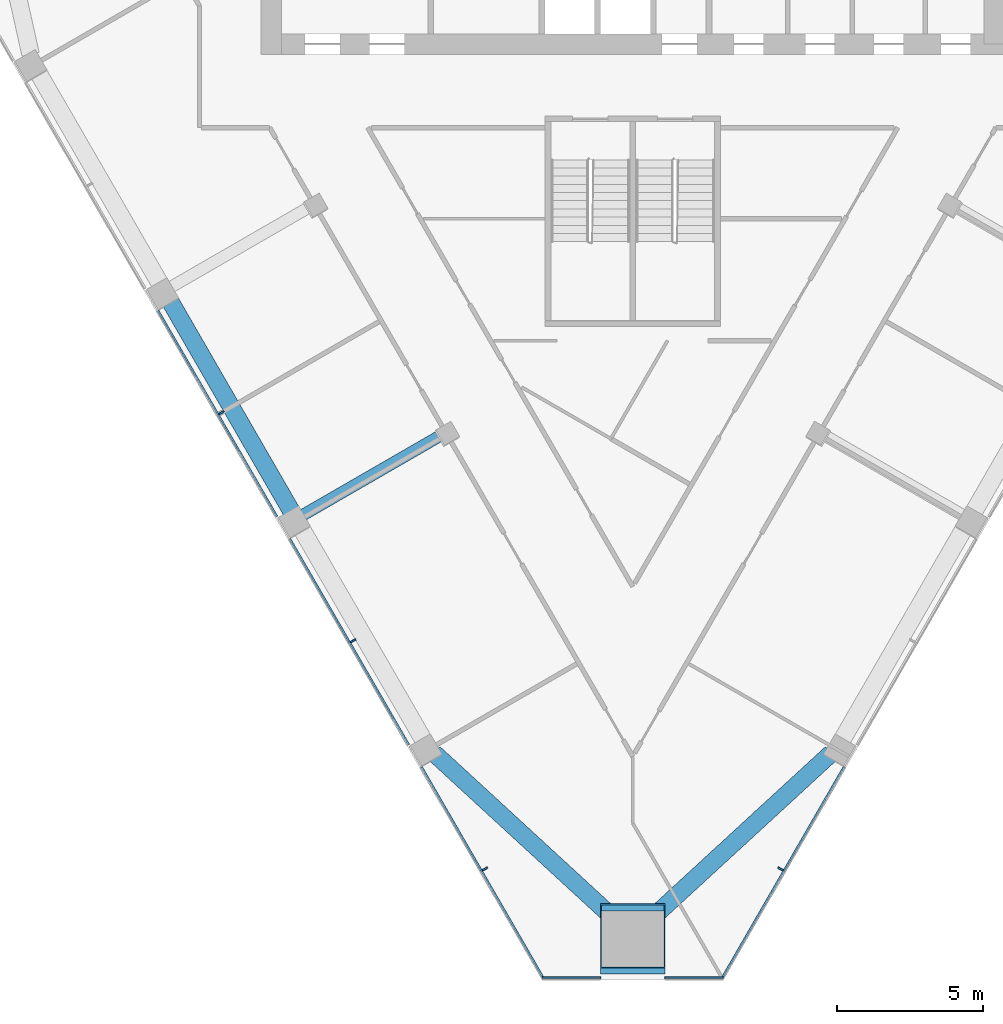
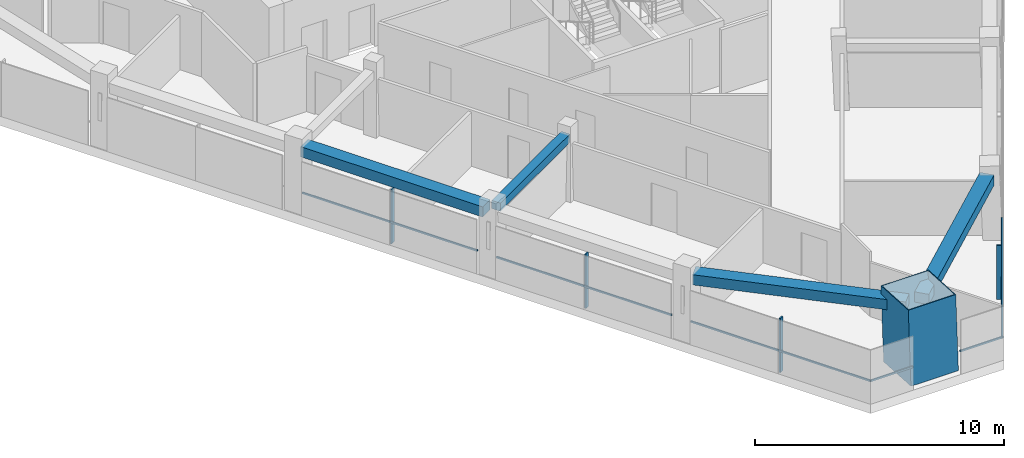
# One storey, part 2 of 12: 11 members, 4 beams, 3 elements without a shape of their own.
"""IFC4 building model written with IfcOpenShell, lengths in metres."""

import ifcopenshell
import ifcopenshell.guid

model = None  # the IFC model being written
_history = None  # IfcOwnerHistory: only IFC2X3 demands one
_inside = {}  # id of a spatial element -> (the spatial element, [elements in it])
_under = {}  # id of a project, library or spatial element -> (it, [spatial elements below it])
_declared = {}  # id of a project -> (the project, [libraries it declares])
_typed = {}  # id of a type object -> (the type object, [elements of that type])
_made_of = {}  # id of a material, layer set ... -> (it, [elements and type objects made of it])


def new_model(schema):
    """Start an empty IFC model of exactly this schema.

    Asked for "IFC4X3", IfcOpenShell would pick the latest addendum, in which some entities
    have other attributes; the version numbers below select the first issue.
    IFC2X3 requires an IfcOwnerHistory on every rooted entity: one is made here for all.
    """
    global model, _history
    if schema == "IFC4X3":
        model = ifcopenshell.file(schema_version=(4, 3, 0, 0))
    else:
        model = ifcopenshell.file(schema=schema)
    _inside.clear()
    _under.clear()
    _declared.clear()
    _typed.clear()
    _made_of.clear()
    _history = None
    if model.schema == "IFC2X3":
        org = make("IfcOrganization", Name="unknown")
        user = make(
            "IfcPersonAndOrganization",
            ThePerson=make("IfcPerson", FamilyName="unknown"),
            TheOrganization=org,
        )
        app = make(
            "IfcApplication",
            ApplicationDeveloper=org,
            Version="unknown",
            ApplicationFullName="unknown",
            ApplicationIdentifier="unknown",
        )
        _history = make(
            "IfcOwnerHistory",
            OwningUser=user,
            OwningApplication=app,
            ChangeAction="ADDED",
            CreationDate=0,
        )
    return model


def make(cls, **values):
    """One entity of the class cls with the attributes given. An attribute that is None is left unset."""
    return model.create_entity(
        cls, **{name: value for name, value in values.items() if value is not None}
    )


def rooted(cls, **values):
    """An entity with a GlobalId (a new one), such as an element, a storey or a relation."""
    return make(cls, GlobalId=ifcopenshell.guid.new(), OwnerHistory=_history, **values)


def si_unit(unit_type, name, prefix=None):
    """IfcSIUnit, for example si_unit("LENGTHUNIT", "METRE", prefix="MILLI")."""
    return make("IfcSIUnit", UnitType=unit_type, Prefix=prefix, Name=name)


def assignment(units):
    """IfcUnitAssignment: the units of a project."""
    return None if units is None else make("IfcUnitAssignment", Units=units)


def point(xyz):
    """IfcCartesianPoint."""
    return None if xyz is None else make("IfcCartesianPoint", Coordinates=xyz)


def direction(xyz):
    """IfcDirection."""
    return None if xyz is None else make("IfcDirection", DirectionRatios=xyz)


def frame(location, z_axis=None, x_axis=None):
    """IfcAxis2Placement3D, a coordinate frame: its origin and axes. An axis left out is left unset."""
    return make(
        "IfcAxis2Placement3D",
        Location=point(location),
        Axis=direction(z_axis),
        RefDirection=direction(x_axis),
    )


def frame_2d(location, x_axis=None):
    """IfcAxis2Placement2D, a coordinate frame in the plane: its origin and x axis."""
    return make(
        "IfcAxis2Placement2D", Location=point(location), RefDirection=direction(x_axis)
    )


def origin():
    """The frame at (0, 0, 0) with its axes left unset."""
    return frame((0.0, 0.0, 0.0))


def origin_2d():
    """The frame at (0, 0) in the plane with its x axis left unset."""
    return frame_2d((0.0, 0.0))


def place(relative_to, where):
    """IfcLocalPlacement: puts the frame where relative to a parent placement (None: the world)."""
    return make(
        "IfcLocalPlacement", PlacementRelTo=relative_to, RelativePlacement=where
    )


def context(
    kind, dimensions, precision=None, world=None, true_north=None, identifier=None
):
    """IfcGeometricRepresentationContext, for example the 3D "Model" context."""
    return make(
        "IfcGeometricRepresentationContext",
        ContextIdentifier=identifier,
        ContextType=kind,
        CoordinateSpaceDimension=dimensions,
        Precision=precision,
        WorldCoordinateSystem=world,
        TrueNorth=true_north,
    )


def subcontext(parent, identifier, kind, view, scale=None):
    """IfcGeometricRepresentationSubContext, for example "Body" below "Model"."""
    return make(
        "IfcGeometricRepresentationSubContext",
        ContextIdentifier=identifier,
        ContextType=kind,
        ParentContext=parent,
        TargetScale=scale,
        TargetView=view,
    )


def project(units=None, contexts=None):
    """IfcProject with its units and contexts."""
    return rooted(
        "IfcProject",
        Name="project",
        RepresentationContexts=contexts,
        UnitsInContext=assignment(units),
    )


def spatial(cls, under=None, at=None, **own):
    """A site, building, storey or space (cls), placed at a placement, below another one or the project."""
    s = rooted(cls, ObjectPlacement=at, **own)
    if under is not None:
        _under.setdefault(under.id(), (under, []))[1].append(s)
    return s


def profile(cls, at=None, kind="AREA", **sizes):
    """A parametric profile (cls). Its sizes go by their IFC names, for example OverallWidth=200.0."""
    return make(cls, ProfileType=kind, Position=at, **sizes)


def rectangle(**sizes):
    """IfcRectangleProfileDef."""
    return profile("IfcRectangleProfileDef", **sizes)


def hollow_rectangle(**sizes):
    """IfcRectangleHollowProfileDef."""
    return profile("IfcRectangleHollowProfileDef", **sizes)


def extrude(swept, where, along, depth):
    """IfcExtrudedAreaSolid: the profile swept, set in the frame where, extruded along a direction by depth."""
    return make(
        "IfcExtrudedAreaSolid",
        SweptArea=swept,
        Position=where,
        ExtrudedDirection=direction(along),
        Depth=depth,
    )


def shape(context_of_items, identifier, shape_type, items):
    """IfcShapeRepresentation: the items that make up one representation, for example the "Body"."""
    return make(
        "IfcShapeRepresentation",
        ContextOfItems=context_of_items,
        RepresentationIdentifier=identifier,
        RepresentationType=shape_type,
        Items=items,
    )


def material(Name=None, Category=None):
    """IfcMaterial."""
    return make("IfcMaterial", Name=Name, Category=Category)


def layer(
    of_material, thickness, ventilated=None, Name=None, Category=None, Priority=None
):
    """IfcMaterialLayer: one layer of a wall or slab, of a material (None: an air gap)."""
    return make(
        "IfcMaterialLayer",
        Material=of_material,
        LayerThickness=thickness,
        IsVentilated=ventilated,
        Name=Name,
        Category=Category,
        Priority=Priority,
    )


def layer_set(layers, Name=None):
    """IfcMaterialLayerSet."""
    return make("IfcMaterialLayerSet", MaterialLayers=layers, LayerSetName=Name)


def material_profile(
    of_material, cross_section, Name=None, Category=None, Priority=None
):
    """IfcMaterialProfile: a cross section and its material."""
    return make(
        "IfcMaterialProfile",
        Name=Name,
        Material=of_material,
        Profile=cross_section,
        Priority=Priority,
        Category=Category,
    )


def profile_set(profiles, Name=None, composite=None):
    """IfcMaterialProfileSet."""
    return make(
        "IfcMaterialProfileSet",
        Name=Name,
        MaterialProfiles=profiles,
        CompositeProfile=composite,
    )


def made_of(thing, what):
    """Note that an element or type object is made of a material, layer set ...; save() writes the relation."""
    if what is not None:
        _made_of.setdefault(what.id(), (what, []))[1].append(thing)
    return thing


def type_object(cls, material=None, **own):
    """A type object (cls), such as IfcWallType, which elements share."""
    return made_of(rooted(cls, **own), material)


def element(
    cls,
    number,
    at=None,
    inside=None,
    cuts=None,
    type_object=None,
    material=None,
    context=None,
    identifier="Body",
    shape_type=None,
    held_by="IfcProductDefinitionShape",
    body=None,
    shapes=None,
    **own,
):
    """One element of the class cls, such as IfcWall. Its Tag is "e" and its number.

    at: its placement. inside: the storey or other place that contains it. cuts: it is an
    opening in that element (IfcRelVoidsElement). A single representation is given by context,
    identifier, shape_type and body (its items); several are given by shapes. held_by: the class
    of the entity that holds the representations. save() writes the other relations.
    """
    e = rooted(cls, Tag="e%d" % number, ObjectPlacement=at, **own)
    if body is not None:
        shapes = [shape(context, identifier, shape_type, body)]
    if shapes is not None:
        e.Representation = make(held_by, Representations=shapes)
    if inside is not None:
        _inside.setdefault(inside.id(), (inside, []))[1].append(e)
    if cuts is not None:
        rooted(
            "IfcRelVoidsElement", RelatingBuildingElement=cuts, RelatedOpeningElement=e
        )
    if type_object is not None:
        _typed.setdefault(type_object.id(), (type_object, []))[1].append(e)
    return made_of(e, material)


def aggregate(whole, parts):
    """IfcRelAggregates: a whole, such as a stair, and the parts it consists of."""
    return rooted("IfcRelAggregates", RelatingObject=whole, RelatedObjects=parts)


def save(model, path):
    """Write the relations noted so far, then the file.

    IfcRelAggregates (storeys below a building ...), IfcRelContainedInSpatialStructure (elements
    in a storey), IfcRelDefinesByType, IfcRelAssociatesMaterial and IfcRelDeclares: one each for
    every whole, place, type object, material and project.
    """
    for whole, parts in _under.values():
        aggregate(whole, parts)
    for where, things in _inside.values():
        rooted(
            "IfcRelContainedInSpatialStructure",
            RelatedElements=things,
            RelatingStructure=where,
        )
    for kind, things in _typed.values():
        rooted("IfcRelDefinesByType", RelatedObjects=things, RelatingType=kind)
    for what, things in _made_of.values():
        rooted("IfcRelAssociatesMaterial", RelatedObjects=things, RelatingMaterial=what)
    for by, libraries in _declared.values():
        rooted("IfcRelDeclares", RelatingContext=by, RelatedDefinitions=libraries)
    model.write(path)


model = new_model("IFC4")

# Units and contexts
model_context = context("Model", 3, precision=1e-05, world=origin(), true_north=direction((0.0, 1.0)))
body_context = subcontext(model_context, "Body", "Model", "MODEL_VIEW")
ifc_project = project(units=[si_unit("LENGTHUNIT", "METRE"), si_unit("AREAUNIT", "SQUARE_METRE"), si_unit("VOLUMEUNIT", "CUBIC_METRE"), si_unit("PLANEANGLEUNIT", "RADIAN"), si_unit("MASSUNIT", "GRAM", prefix="KILO")], contexts=[model_context])

# Site, building, storey
site_placement = place(None, origin())
site = spatial("IfcSite", under=ifc_project, at=site_placement, CompositionType="ELEMENT")
building_placement = place(site_placement, origin())
building = spatial("IfcBuilding", under=site, at=building_placement, Name="Altiplano Prism Tower", CompositionType="ELEMENT")
storey_placement = place(building_placement, frame((0.0, 0.0, 205.199951171875)))
storey = spatial("IfcBuildingStorey", under=building, at=storey_placement, Name="L53", CompositionType="ELEMENT", Elevation=205.199951171875)

# Curtain wall, members
ifc_material_1 = material(Name="Aluminium and glass", Category="aluminium")
ifc_layer = layer(ifc_material_1, 0.303955078125)
ifc_layer_set = layer_set([ifc_layer], Name="Aluminium and glass")
curtain_wall_type = type_object("IfcCurtainWallType", Name="CW2 lounge-band unitised glazing", PredefinedType="NOTDEFINED", material=ifc_layer_set)
curtain_wall_1_placement = place(storey_placement, origin())
curtain_wall_1 = element("IfcCurtainWall", 1, at=curtain_wall_1_placement, inside=storey, type_object=curtain_wall_type, Name="CW2 curtain wall south-west face L53", PredefinedType="NOTDEFINED")
ifc_material_2 = material(Name="Aluminium", Category="aluminium")
ifc_material_profile_1 = material_profile(ifc_material_2, rectangle(XDim=0.199951171875, YDim=0.06005859375, at=origin_2d()), Name="CW2 mullion 60 x 200")
ifc_profile_set_1 = profile_set([ifc_material_profile_1], Name="Aluminium")
member_type_1 = type_object("IfcMemberType", Name="CW2 mullion 60 x 200", PredefinedType="MULLION", material=ifc_profile_set_1)
member_1_placement = place(storey_placement, frame((70.94970703125, 80.4599609375, 0.0), z_axis=(0.0, 0.0, 1.0), x_axis=(0.866025406943, 0.499999994528, 0.0)))
member_1 = element("IfcMember", 2, at=member_1_placement, type_object=member_type_1, Name="CW2 mullion", PredefinedType="MULLION", context=body_context, shape_type="SweptSolid", body=[
    extrude(rectangle(XDim=0.199951171875, YDim=0.06005859375, at=origin_2d()), origin(), (0.0, 0.0, 1.0), 2.650146484375),
])
member_2_placement = place(storey_placement, frame((75.44970703125, 72.665771484375, 0.0), z_axis=(0.0, 0.0, 1.0), x_axis=(0.866025406943, 0.499999994528, 0.0)))
member_2 = element("IfcMember", 3, at=member_2_placement, type_object=member_type_1, Name="CW2 mullion", PredefinedType="MULLION", context=body_context, shape_type="SweptSolid", body=[
    extrude(rectangle(XDim=0.199951171875, YDim=0.06005859375, at=origin_2d()), origin(), (0.0, 0.0, 1.0), 2.650146484375),
])
member_3_placement = place(storey_placement, frame((79.94970703125, 64.87158203125, 0.0), z_axis=(0.0, 0.0, 1.0), x_axis=(0.866025406943, 0.499999994528, 0.0)))
member_3 = element("IfcMember", 4, at=member_3_placement, type_object=member_type_1, Name="CW2 mullion", PredefinedType="MULLION", context=body_context, shape_type="SweptSolid", body=[
    extrude(rectangle(XDim=0.199951171875, YDim=0.06005859375, at=origin_2d()), origin(), (0.0, 0.0, 1.0), 2.650146484375),
])

# Curtain wall, member
curtain_wall_2_placement = place(storey_placement, origin())
curtain_wall_2 = element("IfcCurtainWall", 5, at=curtain_wall_2_placement, inside=storey, type_object=curtain_wall_type, Name="CW2 curtain wall south-east face L53", PredefinedType="NOTDEFINED")
member_4_placement = place(storey_placement, frame((90.05029296875, 64.87158203125, 0.0), z_axis=(0.0, 0.0, 1.0), x_axis=(-0.866025406943, 0.499999994528, 0.0)))
member_4 = element("IfcMember", 6, at=member_4_placement, type_object=member_type_1, Name="CW2 mullion", PredefinedType="MULLION", context=body_context, shape_type="SweptSolid", body=[
    extrude(rectangle(XDim=0.199951171875, YDim=0.06005859375, at=origin_2d()), origin(), (0.0, 0.0, 1.0), 2.650146484375),
])

# Member
ifc_material_profile_2 = material_profile(ifc_material_2, rectangle(XDim=0.06005859375, YDim=0.080078125, at=origin_2d()), Name="CW2 transom 80 x 60")
ifc_profile_set_2 = profile_set([ifc_material_profile_2], Name="Aluminium")
member_type_2 = type_object("IfcMemberType", Name="CW2 transom 80 x 60", PredefinedType="USERDEFINED", material=ifc_profile_set_2)
member_5_placement = place(storey_placement, frame((68.787353515625, 83.9453125, 1.10009765625), z_axis=(0.499977514064, -0.866038385657, 0.0), x_axis=(0.866038385657, 0.499977514064, 0.0)))
member_5 = element("IfcMember", 7, at=member_5_placement, type_object=member_type_2, Name="CW2 transom", ObjectType="TRANSOM", PredefinedType="USERDEFINED", context=body_context, shape_type="SweptSolid", body=[
    extrude(rectangle(XDim=0.06005859375, YDim=0.080078125, at=origin_2d()), origin(), (0.0, 0.0, 1.0), 8.119873046875),
])

member_6_placement = place(storey_placement, frame((73.287353515625, 76.15087890625, 1.10009765625), z_axis=(0.499990533176, -0.866030869389, 0.0), x_axis=(0.866030869389, 0.499990533176, 0.0)))
member_6 = element("IfcMember", 8, at=member_6_placement, type_object=member_type_2, Name="CW2 transom", ObjectType="TRANSOM", PredefinedType="USERDEFINED", context=body_context, shape_type="SweptSolid", body=[
    extrude(rectangle(XDim=0.06005859375, YDim=0.080078125, at=origin_2d()), origin(), (0.0, 0.0, 1.0), 8.119873046875),
])

member_7_placement = place(storey_placement, frame((77.787353515625, 68.356689453125, 1.10009765625), z_axis=(0.49999451701, -0.866028569367, 0.0), x_axis=(0.866028569367, 0.49999451701, 0.0)))
member_7 = element("IfcMember", 9, at=member_7_placement, type_object=member_type_2, Name="CW2 transom", ObjectType="TRANSOM", PredefinedType="USERDEFINED", context=body_context, shape_type="SweptSolid", body=[
    extrude(rectangle(XDim=0.06005859375, YDim=0.080078125, at=origin_2d()), origin(), (0.0, 0.0, 1.0), 8.36328125),
])

aggregate(curtain_wall_1, [member_1, member_5, member_2, member_6, member_3, member_7])

# Curtain wall, members
curtain_wall_3_placement = place(storey_placement, origin())
curtain_wall_3 = element("IfcCurtainWall", 10, at=curtain_wall_3_placement, inside=storey, type_object=curtain_wall_type, Name="CW2 curtain wall south chamfer L53", PredefinedType="NOTDEFINED")
member_8_placement = place(storey_placement, frame((81.905029296875, 61.150634765625, 1.10009765625), z_axis=(1.0, 0.0, 0.0), x_axis=(0.0, 1.0, 0.0)))
member_8 = element("IfcMember", 11, at=member_8_placement, type_object=member_type_2, Name="CW2 transom", ObjectType="TRANSOM", PredefinedType="USERDEFINED", context=body_context, shape_type="SweptSolid", body=[
    extrude(rectangle(XDim=0.06005859375, YDim=0.080078125, at=origin_2d()), origin(), (0.0, 0.0, 1.0), 1.994873046875),
])
member_9_placement = place(storey_placement, frame((86.10009765625, 61.150634765625, 1.10009765625), z_axis=(1.0, 0.0, 0.0), x_axis=(0.0, 1.0, 0.0)))
member_9 = element("IfcMember", 12, at=member_9_placement, type_object=member_type_2, Name="CW2 transom", ObjectType="TRANSOM", PredefinedType="USERDEFINED", context=body_context, shape_type="SweptSolid", body=[
    extrude(rectangle(XDim=0.06005859375, YDim=0.080078125, at=origin_2d()), origin(), (0.0, 0.0, 1.0), 1.994873046875),
])
aggregate(curtain_wall_3, [member_8, member_9])

# Member
member_10_placement = place(storey_placement, frame((88.031005859375, 61.11376953125, 1.10009765625), z_axis=(0.49999451701, 0.866028569367, 0.0), x_axis=(-0.866028569367, 0.49999451701, 0.0)))
member_10 = element("IfcMember", 13, at=member_10_placement, type_object=member_type_2, Name="CW2 transom", ObjectType="TRANSOM", PredefinedType="USERDEFINED", context=body_context, shape_type="SweptSolid", body=[
    extrude(rectangle(XDim=0.06005859375, YDim=0.080078125, at=origin_2d()), origin(), (0.0, 0.0, 1.0), 8.36328125),
])

aggregate(curtain_wall_2, [member_4, member_10])

# Beams
ifc_material_3 = material(Name="Concrete C60/75", Category="concrete")
ifc_material_profile_3 = material_profile(ifc_material_3, rectangle(XDim=0.60009765625, YDim=0.5, at=origin_2d()), Name="Edge beam 600x500")
ifc_profile_set_3 = profile_set([ifc_material_profile_3], Name="Concrete C60/75")
beam_type_1 = type_object("IfcBeamType", Name="Edge beam 600x500", PredefinedType="SPANDREL", material=ifc_profile_set_3)
beam_1_placement = place(storey_placement, frame((69.132568359375, 84.376220703125, 2.900146484375), z_axis=(0.499993714791, -0.866029032521, 0.0), x_axis=(0.866029032521, 0.499993714791, 0.0)))
element("IfcBeam", 14, at=beam_1_placement, inside=storey, type_object=beam_type_1, Name="Edge beam P12-P13 L54", PredefinedType="SPANDREL", context=body_context, shape_type="SweptSolid", body=[
    extrude(rectangle(XDim=0.60009765625, YDim=0.5, at=origin_2d()), origin(), (0.0, 0.0, 1.0), 8.43994140625),
])
for number, where, z_axis, x_axis, name in (
    (15, (78.212890625, 68.82763671875, 2.900146484375), (0.736132940684, -0.676836977152, 0.0), (0.676836977152, 0.736132940684, 0.0), "Edge beam P14-M1 L54"),
    (16, (85.331298828125, 62.891845703125, 2.900146484375), (0.736132940684, 0.676836977152, 0.0), (-0.676836977152, 0.736132940684, 0.0), "Edge beam M1-P21 L54"),
):
    element("IfcBeam", number, at=place(storey_placement, frame(where, z_axis=z_axis, x_axis=x_axis)), inside=storey, type_object=beam_type_1, Name=name, PredefinedType="SPANDREL", context=body_context, shape_type="SweptSolid", body=[
        extrude(rectangle(XDim=0.60009765625, YDim=0.5, at=origin_2d()), origin(), (0.0, 0.0, 1.0), 8.77001953125),
    ])

# Member
ifc_material_4 = material(Name="Steel S460", Category="steel")
ifc_material_profile_4 = material_profile(ifc_material_4, hollow_rectangle(XDim=2.199951171875, YDim=2.199951171875, WallThickness=0.0400390625, at=origin_2d()), Name="Mega column tube 2200")
ifc_profile_set_4 = profile_set([ifc_material_profile_4], Name="Steel S460")
member_type_3 = type_object("IfcMemberType", Name="Mega column tube 2200", PredefinedType="POST", material=ifc_profile_set_4)
member_11_placement = place(storey_placement, frame((85.0, 62.376708984375, 0.0), z_axis=(0.0, 0.058356907999, 0.998295783467), x_axis=(-1.0, 0.0, 0.0)))
element("IfcMember", 17, at=member_11_placement, inside=storey, type_object=member_type_3, Name="Mega column tube M1 L53", PredefinedType="POST", context=body_context, shape_type="SweptSolid", body=[
    extrude(hollow_rectangle(XDim=2.199951171875, YDim=2.199951171875, WallThickness=0.0400390625, at=origin_2d()), origin(), (0.0, 0.0, 1.0), 3.606201171875),
])

# Beam
ifc_material_profile_5 = material_profile(ifc_material_3, rectangle(XDim=0.39990234375, YDim=0.39990234375, at=origin_2d()), Name="Tie beam 400x400")
ifc_profile_set_5 = profile_set([ifc_material_profile_5], Name="Concrete C60/75")
beam_type_2 = type_object("IfcBeamType", Name="Tie beam 400x400", PredefinedType="BEAM", material=ifc_profile_set_5)
beam_2_placement = place(storey_placement, frame((78.576171875, 79.759521484375, 2.949951171875), z_axis=(-0.866011758658, -0.500023633308, 0.0), x_axis=(0.500023633308, -0.866011758658, 0.0)))
element("IfcBeam", 18, at=beam_2_placement, inside=storey, type_object=beam_type_2, Name="Tie beam I13 L54", PredefinedType="BEAM", context=body_context, shape_type="SweptSolid", body=[
    extrude(rectangle(XDim=0.39990234375, YDim=0.39990234375, at=origin_2d()), origin(), (0.0, 0.0, 1.0), 5.590087890625),
])

save(model, "model.ifc")
